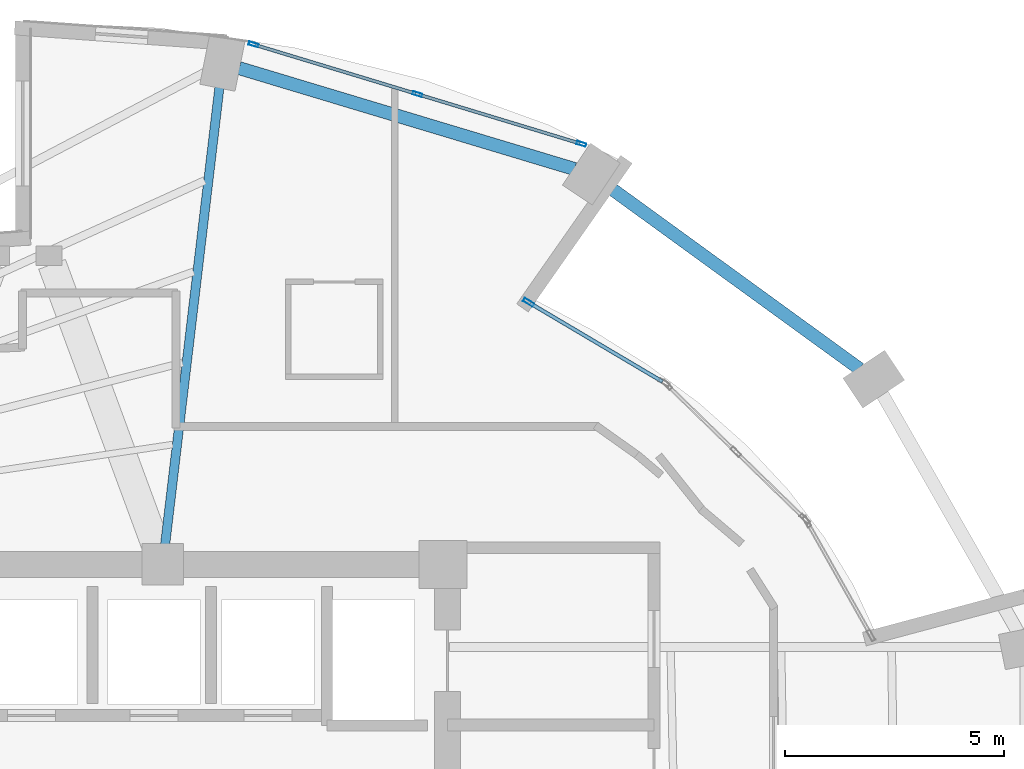
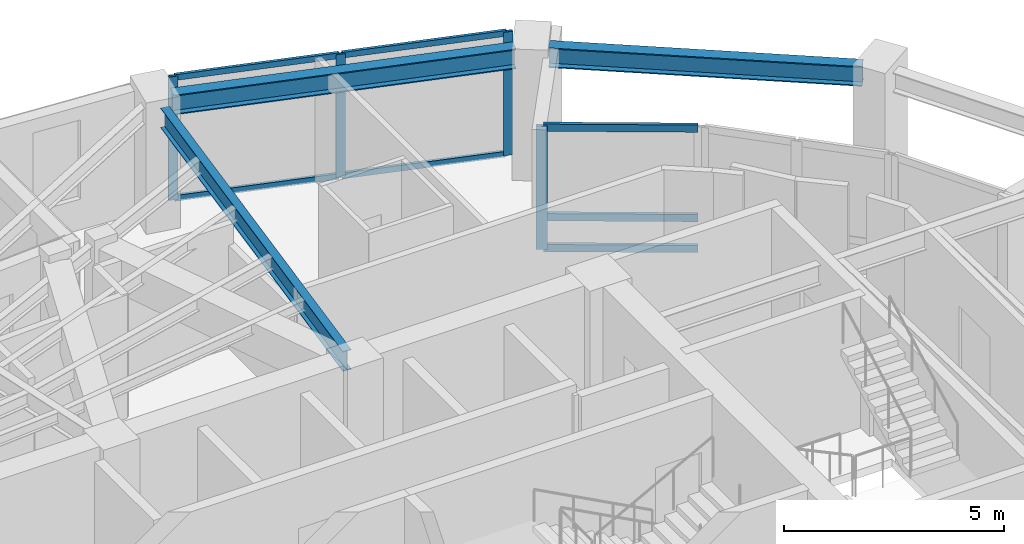
# One storey, part 13 of 19: 11 members, 3 beams, 2 elements without a shape of their own.
"""IFC4 building model written with IfcOpenShell, lengths in metres."""

from ifc_helpers import new_model, si_unit, direction, frame, origin, origin_2d, place, context, subcontext, project, spatial, hollow_rectangle, i_section, extrude, material, layer, layer_set, material_profile, profile_set, type_object, element, aggregate, save


model = new_model("IFC4")

# Units and contexts
model_context = context("Model", 3, precision=1e-05, world=origin(), true_north=direction((0.0, 1.0)))
body_context = subcontext(model_context, "Body", "Model", "MODEL_VIEW")
ifc_project = project(units=[si_unit("LENGTHUNIT", "METRE"), si_unit("AREAUNIT", "SQUARE_METRE"), si_unit("VOLUMEUNIT", "CUBIC_METRE"), si_unit("PLANEANGLEUNIT", "RADIAN"), si_unit("MASSUNIT", "GRAM", prefix="KILO")], contexts=[model_context])

# Site, building, storey
site_placement = place(None, origin())
site = spatial("IfcSite", under=ifc_project, at=site_placement, CompositionType="ELEMENT")
building_placement = place(site_placement, origin())
building = spatial("IfcBuilding", under=site, at=building_placement, Name="Lazwardi Medical Tower", CompositionType="ELEMENT")
storey_placement = place(building_placement, frame((0.0, 0.0, 167.471923828125)))
storey = spatial("IfcBuildingStorey", under=building, at=storey_placement, Name="L43", CompositionType="ELEMENT", Elevation=167.471923828125)

# Beams
ifc_material_1 = material(Name="Steel S355", Category="steel")
ifc_material_profile_1 = material_profile(ifc_material_1, i_section(OverallWidth=0.300048828125, OverallDepth=0.550048828125, WebThickness=0.014892578125, FlangeThickness=0.029052734375, at=origin_2d()), Name="HEB 550")
ifc_profile_set_1 = profile_set([ifc_material_profile_1], Name="Steel S355")
beam_type_1 = type_object("IfcBeamType", Name="BM-RB-Z3", PredefinedType="BEAM", material=ifc_profile_set_1)
beam_1_placement = place(storey_placement, frame((55.11181640625, 40.06591796875, 3.153076171875), z_axis=(-0.809127570774, 0.587633026824, 0.0), x_axis=(-0.587633026824, -0.809127570774, 0.0)))
element("IfcBeam", 1, at=beam_1_placement, inside=storey, type_object=beam_type_1, Name="Ring beam RB-04 B06 L43", PredefinedType="BEAM", context=body_context, shape_type="SweptSolid", body=[
    extrude(i_section(OverallWidth=0.300048828125, OverallDepth=0.550048828125, WebThickness=0.014892578125, FlangeThickness=0.029052734375, at=origin_2d()), origin(), (0.0, 0.0, 1.0), 7.170166015625),
])
beam_2_placement = place(storey_placement, frame((48.603515625, 44.62939453125, 3.153076171875), z_axis=(-0.957616873483, 0.288045002771, 0.0), x_axis=(-0.288045002771, -0.957616873483, 0.0)))
element("IfcBeam", 2, at=beam_2_placement, inside=storey, type_object=beam_type_1, Name="Ring beam RB-04 B07 L43", PredefinedType="BEAM", context=body_context, shape_type="SweptSolid", body=[
    extrude(i_section(OverallWidth=0.300048828125, OverallDepth=0.550048828125, WebThickness=0.014892578125, FlangeThickness=0.029052734375, at=origin_2d()), origin(), (0.0, 0.0, 1.0), 7.99951171875),
])
ifc_material_profile_2 = material_profile(ifc_material_1, i_section(OverallWidth=0.2099609375, OverallDepth=0.550048828125, WebThickness=0.010986328125, FlangeThickness=0.01708984375, at=origin_2d()), Name="IPE 550")
ifc_profile_set_2 = profile_set([ifc_material_profile_2], Name="Steel S355")
beam_type_2 = type_object("IfcBeamType", Name="BM-RG-W2", PredefinedType="BEAM", material=ifc_profile_set_2)
beam_3_placement = place(storey_placement, frame((40.494140625, 46.49267578125, 3.153076171875), z_axis=(-0.117968004211, -0.993017396616, 0.0), x_axis=(0.993017396616, -0.117968004211, 0.0)))
element("IfcBeam", 3, at=beam_3_placement, inside=storey, type_object=beam_type_2, Name="Radial girder RG-03 R08 L43", PredefinedType="BEAM", context=body_context, shape_type="SweptSolid", body=[
    extrude(i_section(OverallWidth=0.2099609375, OverallDepth=0.550048828125, WebThickness=0.010986328125, FlangeThickness=0.01708984375, at=origin_2d()), origin(), (0.0, 0.0, 1.0), 10.50927734375),
])

# Curtain wall, members
ifc_material_2 = material(Name="Anodised bronze aluminium and solar control glazing", Category="aluminium")
ifc_layer_1 = layer(ifc_material_2, 0.195068359375)
ifc_layer_set_1 = layer_set([ifc_layer_1], Name="Anodised bronze aluminium and solar control glazing")
curtain_wall_type_1 = type_object("IfcCurtainWallType", Name="CW-SYS-03", PredefinedType="NOTDEFINED", material=ifc_layer_set_1)
curtain_wall_1_placement = place(storey_placement, origin())
curtain_wall_1 = element("IfcCurtainWall", 4, at=curtain_wall_1_placement, inside=storey, type_object=curtain_wall_type_1, Name="L43 Unitised bronze curtain wall CW-03", PredefinedType="NOTDEFINED")
ifc_material_3 = material(Name="Anodised bronze aluminium", Category="aluminium")
ifc_material_profile_3 = material_profile(ifc_material_3, hollow_rectangle(XDim=0.074951171875, YDim=0.219970703125, WallThickness=0.00390625, at=origin_2d()), Name="ALU-MULLION 220x75x4")
ifc_profile_set_3 = profile_set([ifc_material_profile_3], Name="Anodised bronze aluminium")
member_type_1 = type_object("IfcMemberType", Name="CW-MUL-01", PredefinedType="MULLION", material=ifc_profile_set_3)
member_1_placement = place(storey_placement, frame((48.758056640625, 45.203369140625, 0.0), z_axis=(0.0, 0.0, 1.0), x_axis=(-0.290280785441, -0.956941516292, 0.0)))
member_1 = element("IfcMember", 5, at=member_1_placement, type_object=member_type_1, Name="CW-03 mullion 1", PredefinedType="MULLION", context=body_context, shape_type="SweptSolid", body=[
    extrude(hollow_rectangle(XDim=0.074951171875, YDim=0.219970703125, WallThickness=0.00390625, at=origin_2d()), origin(), (0.0, 0.0, 1.0), 3.427978515625),
])
member_2_placement = place(storey_placement, frame((45.01513671875, 46.338623046875, 0.0), z_axis=(0.0, 0.0, 1.0), x_axis=(-0.290280785441, -0.956941516292, 0.0)))
member_2 = element("IfcMember", 6, at=member_2_placement, type_object=member_type_1, Name="CW-03 mullion 2", PredefinedType="MULLION", context=body_context, shape_type="SweptSolid", body=[
    extrude(hollow_rectangle(XDim=0.074951171875, YDim=0.219970703125, WallThickness=0.00390625, at=origin_2d()), origin(), (0.0, 0.0, 1.0), 3.427978515625),
])
member_3_placement = place(storey_placement, frame((41.27197265625, 47.47412109375, 0.0), z_axis=(0.0, 0.0, 1.0), x_axis=(-0.290280785441, -0.956941516292, 0.0)))
member_3 = element("IfcMember", 7, at=member_3_placement, type_object=member_type_1, Name="CW-03 mullion 3", PredefinedType="MULLION", context=body_context, shape_type="SweptSolid", body=[
    extrude(hollow_rectangle(XDim=0.074951171875, YDim=0.219970703125, WallThickness=0.00390625, at=origin_2d()), origin(), (0.0, 0.0, 1.0), 3.427978515625),
])

# Curtain wall, member
ifc_layer_2 = layer(ifc_material_2, 0.239990234375)
ifc_layer_set_2 = layer_set([ifc_layer_2], Name="Anodised bronze aluminium and solar control glazing")
curtain_wall_type_2 = type_object("IfcCurtainWallType", Name="CW-SYS-05", PredefinedType="NOTDEFINED", material=ifc_layer_set_2)
curtain_wall_2_placement = place(storey_placement, origin())
curtain_wall_2 = element("IfcCurtainWall", 8, at=curtain_wall_2_placement, inside=storey, type_object=curtain_wall_type_2, Name="L43 Unitised bronze curtain wall CW-05", PredefinedType="NOTDEFINED")
ifc_material_profile_4 = material_profile(ifc_material_3, hollow_rectangle(XDim=0.0849609375, YDim=0.260009765625, WallThickness=0.0048828125, at=origin_2d()), Name="ALU-MULLION 260x85x5")
ifc_profile_set_4 = profile_set([ifc_material_profile_4], Name="Anodised bronze aluminium")
member_type_2 = type_object("IfcMemberType", Name="CW-MUL-02", PredefinedType="MULLION", material=ifc_profile_set_4)
member_4_placement = place(storey_placement, frame((47.553955078125, 41.584228515625, 0.0), z_axis=(0.0, 0.0, 1.0), x_axis=(-0.509570850923, -0.860428700061, 0.0)))
member_4 = element("IfcMember", 9, at=member_4_placement, type_object=member_type_2, Name="CW-05 mullion 2", PredefinedType="MULLION", context=body_context, shape_type="SweptSolid", body=[
    extrude(hollow_rectangle(XDim=0.0849609375, YDim=0.260009765625, WallThickness=0.0048828125, at=origin_2d()), origin(), (0.0, 0.0, 1.0), 3.427978515625),
])

# Member
ifc_material_profile_5 = material_profile(ifc_material_3, hollow_rectangle(XDim=0.074951171875, YDim=0.159912109375, WallThickness=0.00390625, at=origin_2d()), Name="ALU-TRANSOM 160x75x4")
ifc_profile_set_5 = profile_set([ifc_material_profile_5], Name="Anodised bronze aluminium")
member_type_3 = type_object("IfcMemberType", Name="CW-TRN-01", PredefinedType="USERDEFINED", material=ifc_profile_set_5)
member_5_placement = place(storey_placement, frame((48.72216796875, 45.214111328125, 0.03759765625), z_axis=(-0.956930154175, 0.290318239233, 0.0), x_axis=(-0.290318239233, -0.956930154175, 0.0)))
member_5 = element("IfcMember", 10, at=member_5_placement, type_object=member_type_3, Name="CW-03 transom 1.1", ObjectType="TRANSOM", PredefinedType="USERDEFINED", context=body_context, shape_type="SweptSolid", body=[
    extrude(hollow_rectangle(XDim=0.074951171875, YDim=0.159912109375, WallThickness=0.00390625, at=origin_2d()), origin(), (0.0, 0.0, 1.0), 3.83642578125),
])

member_6_placement = place(storey_placement, frame((48.72216796875, 45.214111328125, 3.390625), z_axis=(-0.956930154175, 0.290318239233, 0.0), x_axis=(-0.290318239233, -0.956930154175, 0.0)))
member_6 = element("IfcMember", 11, at=member_6_placement, type_object=member_type_3, Name="CW-03 transom 1.2", ObjectType="TRANSOM", PredefinedType="USERDEFINED", context=body_context, shape_type="SweptSolid", body=[
    extrude(hollow_rectangle(XDim=0.074951171875, YDim=0.159912109375, WallThickness=0.00390625, at=origin_2d()), origin(), (0.0, 0.0, 1.0), 3.83642578125),
])

member_7_placement = place(storey_placement, frame((44.979248046875, 46.349609375, 0.03759765625), z_axis=(-0.95695319357, 0.290242287264, 0.0), x_axis=(-0.290242287264, -0.95695319357, 0.0)))
member_7 = element("IfcMember", 12, at=member_7_placement, type_object=member_type_3, Name="CW-03 transom 2.1", ObjectType="TRANSOM", PredefinedType="USERDEFINED", context=body_context, shape_type="SweptSolid", body=[
    extrude(hollow_rectangle(XDim=0.074951171875, YDim=0.159912109375, WallThickness=0.00390625, at=origin_2d()), origin(), (0.0, 0.0, 1.0), 3.83642578125),
])

member_8_placement = place(storey_placement, frame((44.979248046875, 46.349609375, 3.390625), z_axis=(-0.95695319357, 0.290242287264, 0.0), x_axis=(-0.290242287264, -0.95695319357, 0.0)))
member_8 = element("IfcMember", 13, at=member_8_placement, type_object=member_type_3, Name="CW-03 transom 2.2", ObjectType="TRANSOM", PredefinedType="USERDEFINED", context=body_context, shape_type="SweptSolid", body=[
    extrude(hollow_rectangle(XDim=0.074951171875, YDim=0.159912109375, WallThickness=0.00390625, at=origin_2d()), origin(), (0.0, 0.0, 1.0), 3.83642578125),
])

aggregate(curtain_wall_1, [member_1, member_2, member_3, member_5, member_6, member_7, member_8])

ifc_material_profile_6 = material_profile(ifc_material_3, hollow_rectangle(XDim=0.0849609375, YDim=0.199951171875, WallThickness=0.00439453125, at=origin_2d()), Name="ALU-TRANSOM 200x85x4.5")
ifc_profile_set_6 = profile_set([ifc_material_profile_6], Name="Anodised bronze aluminium")
member_type_4 = type_object("IfcMemberType", Name="CW-TRN-02", PredefinedType="USERDEFINED", material=ifc_profile_set_6)
member_9_placement = place(storey_placement, frame((50.612548828125, 39.77294921875, 0.04248046875), z_axis=(-0.860416840555, 0.509590875595, 0.0), x_axis=(-0.509590875595, -0.860416840555, 0.0)))
member_9 = element("IfcMember", 14, at=member_9_placement, type_object=member_type_4, Name="CW-05 transom 1.1", ObjectType="TRANSOM", PredefinedType="USERDEFINED", context=body_context, shape_type="SweptSolid", body=[
    extrude(hollow_rectangle(XDim=0.0849609375, YDim=0.199951171875, WallThickness=0.00439453125, at=origin_2d()), origin(), (0.0, 0.0, 1.0), 3.51220703125),
])

member_10_placement = place(storey_placement, frame((50.612548828125, 39.77294921875, 0.900146484375), z_axis=(-0.860416840555, 0.509590875595, 0.0), x_axis=(-0.509590875595, -0.860416840555, 0.0)))
member_10 = element("IfcMember", 15, at=member_10_placement, type_object=member_type_4, Name="CW-05 transom 1.2", ObjectType="TRANSOM", PredefinedType="USERDEFINED", context=body_context, shape_type="SweptSolid", body=[
    extrude(hollow_rectangle(XDim=0.0849609375, YDim=0.199951171875, WallThickness=0.00439453125, at=origin_2d()), origin(), (0.0, 0.0, 1.0), 3.51220703125),
])

member_11_placement = place(storey_placement, frame((50.612548828125, 39.77294921875, 3.385498046875), z_axis=(-0.860416840555, 0.509590875595, 0.0), x_axis=(-0.509590875595, -0.860416840555, 0.0)))
member_11 = element("IfcMember", 16, at=member_11_placement, type_object=member_type_4, Name="CW-05 transom 1.3", ObjectType="TRANSOM", PredefinedType="USERDEFINED", context=body_context, shape_type="SweptSolid", body=[
    extrude(hollow_rectangle(XDim=0.0849609375, YDim=0.199951171875, WallThickness=0.00439453125, at=origin_2d()), origin(), (0.0, 0.0, 1.0), 3.51220703125),
])

aggregate(curtain_wall_2, [member_4, member_9, member_10, member_11])

save(model, "model.ifc")
